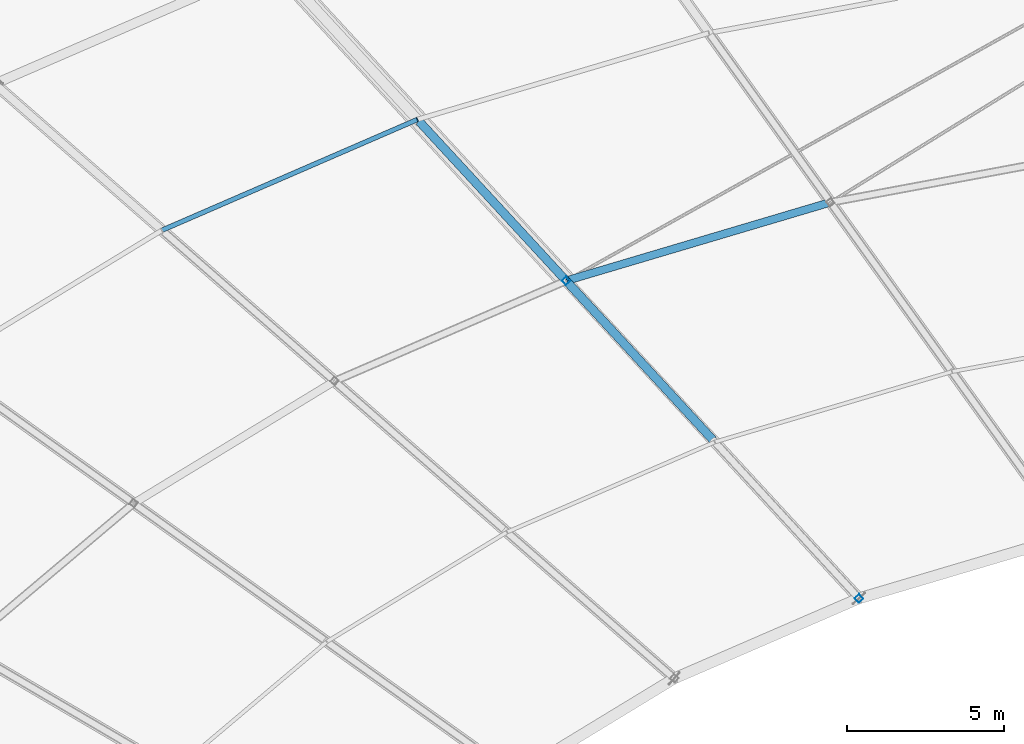
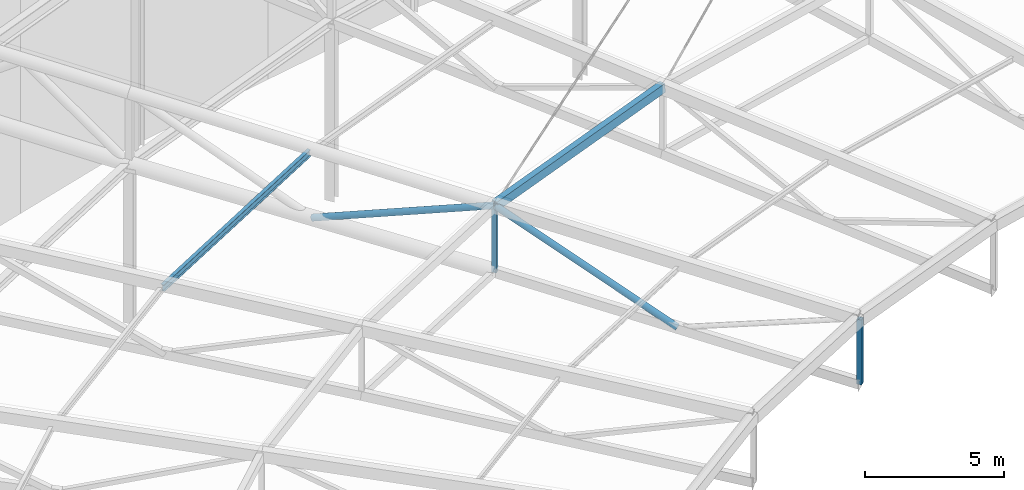
# One storey, part 52 of 143: 5 members, 1 beam.
"""IFC4 building model written with IfcOpenShell, lengths in metres."""

from ifc_helpers import new_model, si_unit, direction, frame, origin, origin_2d, place, context, subcontext, project, spatial, hollow_rectangle, hollow_circle, i_section, extrude, material, material_profile, profile_set, type_object, element, save


model = new_model("IFC4")

# Units and contexts
model_context = context("Model", 3, precision=1e-05, world=origin(), true_north=direction((0.0, 1.0)))
body_context = subcontext(model_context, "Body", "Model", "MODEL_VIEW")
ifc_project = project(units=[si_unit("LENGTHUNIT", "METRE"), si_unit("AREAUNIT", "SQUARE_METRE"), si_unit("VOLUMEUNIT", "CUBIC_METRE"), si_unit("PLANEANGLEUNIT", "RADIAN"), si_unit("MASSUNIT", "GRAM", prefix="KILO")], contexts=[model_context])

# Site, building, storey
site_placement = place(None, origin())
site = spatial("IfcSite", under=ifc_project, at=site_placement, CompositionType="ELEMENT")
building_placement = place(site_placement, origin())
building = spatial("IfcBuilding", under=site, at=building_placement, Name="Mphavela Belvedere Stadium", CompositionType="ELEMENT")
storey_placement = place(building_placement, frame((0.0, 0.0, 28.800048828125)))
storey = spatial("IfcBuildingStorey", under=building, at=storey_placement, Name="RF", CompositionType="ELEMENT", Elevation=28.800048828125)

# Beam
ifc_material_1 = material(Name="Steel S355", Category="steel")
ifc_material_profile_1 = material_profile(ifc_material_1, hollow_rectangle(XDim=0.25, YDim=0.39990234375, WallThickness=0.01611328125, at=origin_2d()), Name="RHS 400x250x16")
ifc_profile_set_1 = profile_set([ifc_material_profile_1], Name="Steel S355")
beam_type = type_object("IfcBeamType", Name="BM-RING-MID", PredefinedType="BEAM", material=ifc_profile_set_1)
beam_placement = place(storey_placement, frame((77.296875, 139.538818359375, 8.69384765625), z_axis=(-0.955164887659, -0.283529138339, -0.085271713345), x_axis=(0.284565601841, -0.958656569502, 0.0)))
element("IfcBeam", 1, at=beam_placement, inside=storey, type_object=beam_type, Name="Intermediate roof ring beam RB-MID-16", PredefinedType="BEAM", context=body_context, shape_type="SweptSolid", body=[
    extrude(hollow_rectangle(XDim=0.25, YDim=0.39990234375, WallThickness=0.01611328125, at=origin_2d()), origin(), (0.0, 0.0, 1.0), 8.826904296875),
])

# Members
ifc_material_2 = material(Name="Steel S355", Category="steel")
ifc_material_profile_2 = material_profile(ifc_material_2, hollow_circle(Radius=0.136474609375, WallThickness=0.012451171875, at=origin_2d()), Name="CHS 273x12.5")
ifc_profile_set_2 = profile_set([ifc_material_profile_2], Name="Steel S355")
member_type_1 = type_object("IfcMemberType", Name="MEM-DIAG-273", PredefinedType="BRACE", material=ifc_profile_set_2)
member_1_placement = place(storey_placement, frame((64.194580078125, 142.10205078125, 5.963623046875), z_axis=(0.651580282187, -0.706647721495, 0.275848026222), x_axis=(0.735171445664, 0.677881217826, 0.0)))
element("IfcMember", 2, at=member_1_placement, inside=storey, type_object=member_type_1, Name="Radial roof truss RT-17 web diagonal D4", PredefinedType="BRACE", context=body_context, shape_type="SweptSolid", body=[
    extrude(hollow_circle(Radius=0.136474609375, WallThickness=0.012451171875, at=origin_2d()), origin(), (0.0, 0.0, 1.0), 7.1689453125),
])
member_2_placement = place(storey_placement, frame((68.86572265625, 137.0361328125, 7.941162109375), z_axis=(0.589096924477, -0.638917059529, -0.494721946769), x_axis=(0.735189102669, 0.677862068061, 0.0)))
element("IfcMember", 3, at=member_2_placement, inside=storey, type_object=member_type_1, Name="Radial roof truss RT-17 web diagonal D5", PredefinedType="BRACE", context=body_context, shape_type="SweptSolid", body=[
    extrude(hollow_circle(Radius=0.136474609375, WallThickness=0.012451171875, at=origin_2d()), origin(), (0.0, 0.0, 1.0), 7.928955078125),
])
ifc_material_3 = material(Name="Steel S355", Category="steel")
ifc_material_profile_3 = material_profile(ifc_material_3, hollow_rectangle(XDim=0.199951171875, YDim=0.199951171875, WallThickness=0.010009765625, at=origin_2d()), Name="SHS 200x200x10")
ifc_profile_set_3 = profile_set([ifc_material_profile_3], Name="Steel S355")
member_type_2 = type_object("IfcMemberType", Name="MEM-POST-SHS200", PredefinedType="POST", material=ifc_profile_set_3)
member_3_placement = place(storey_placement, frame((68.86572265625, 137.0361328125, 5.041259765625), z_axis=(0.0, 0.0, 1.0), x_axis=(-0.677903094969, 0.735151272753, 0.0)))
element("IfcMember", 4, at=member_3_placement, inside=storey, type_object=member_type_2, Name="Radial roof truss RT-17 post P3", PredefinedType="POST", context=body_context, shape_type="SweptSolid", body=[
    extrude(hollow_rectangle(XDim=0.199951171875, YDim=0.199951171875, WallThickness=0.010009765625, at=origin_2d()), origin(), (0.0, 0.0, 1.0), 2.89990234375),
])
member_4_placement = place(storey_placement, frame((78.20751953125, 126.904296875, 2.99609375), z_axis=(0.0, 0.0, 1.0), x_axis=(-0.677903094969, 0.735151272753, 0.0)))
element("IfcMember", 5, at=member_4_placement, inside=storey, type_object=member_type_2, Name="Radial roof truss RT-17 post P4", PredefinedType="POST", context=body_context, shape_type="SweptSolid", body=[
    extrude(hollow_rectangle(XDim=0.199951171875, YDim=0.199951171875, WallThickness=0.010009765625, at=origin_2d()), origin(), (0.0, 0.0, 1.0), 2.85009765625),
])
ifc_material_4 = material(Name="Steel S355", Category="steel")
ifc_material_profile_4 = material_profile(ifc_material_4, i_section(OverallWidth=0.14990234375, OverallDepth=0.300048828125, WebThickness=0.007080078125, FlangeThickness=0.0107421875, at=origin_2d()), Name="IPE 300")
ifc_profile_set_4 = profile_set([ifc_material_profile_4], Name="Steel S355")
member_type_3 = type_object("IfcMemberType", Name="MEM-PURLIN-IPE300", PredefinedType="PURLIN", material=ifc_profile_set_4)
member_5_placement = place(storey_placement, frame((64.122802734375, 142.179931640625, 8.814697265625), z_axis=(-0.912110365187, -0.395406348231, -0.108205829311), x_axis=(0.397741683728, -0.917497440337, 0.0)))
element("IfcMember", 6, at=member_5_placement, inside=storey, type_object=member_type_3, Name="Saddle canopy steel purlin 17-2", PredefinedType="PURLIN", context=body_context, shape_type="SweptSolid", body=[
    extrude(i_section(OverallWidth=0.14990234375, OverallDepth=0.300048828125, WebThickness=0.007080078125, FlangeThickness=0.0107421875, at=origin_2d()), origin(), (0.0, 0.0, 1.0), 8.9326171875),
])

save(model, "model.ifc")
